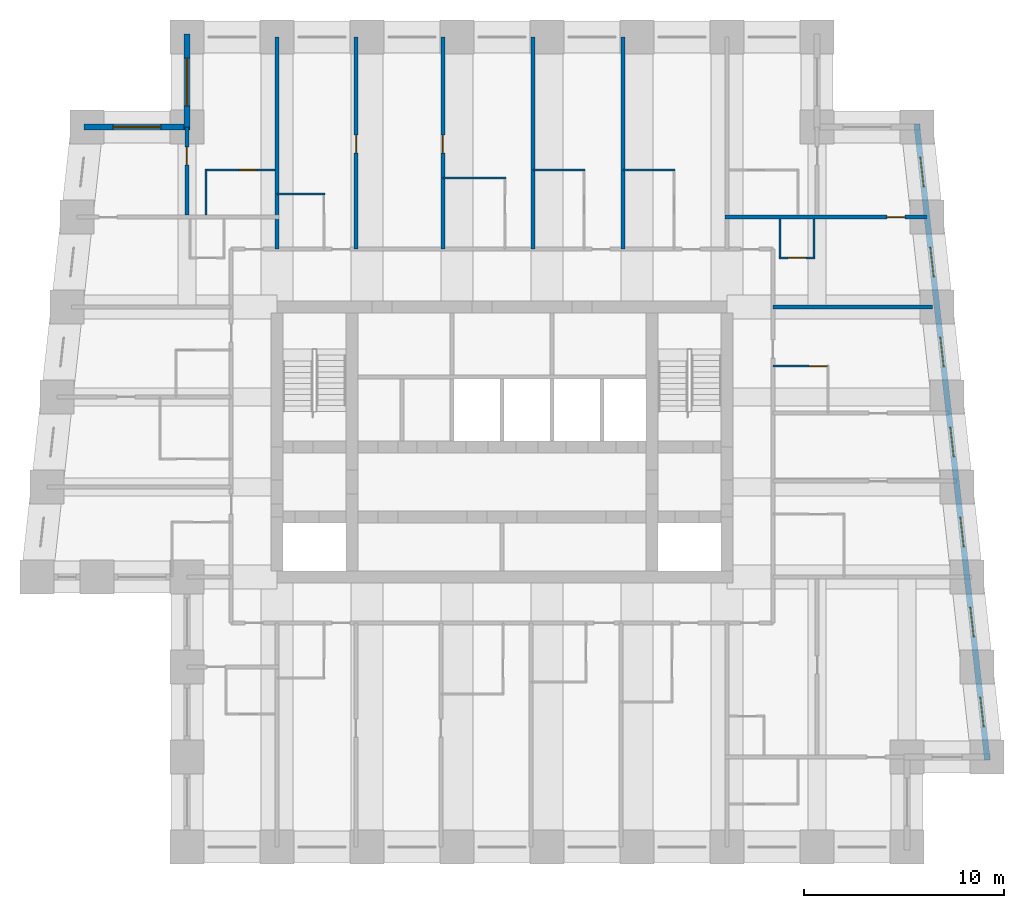
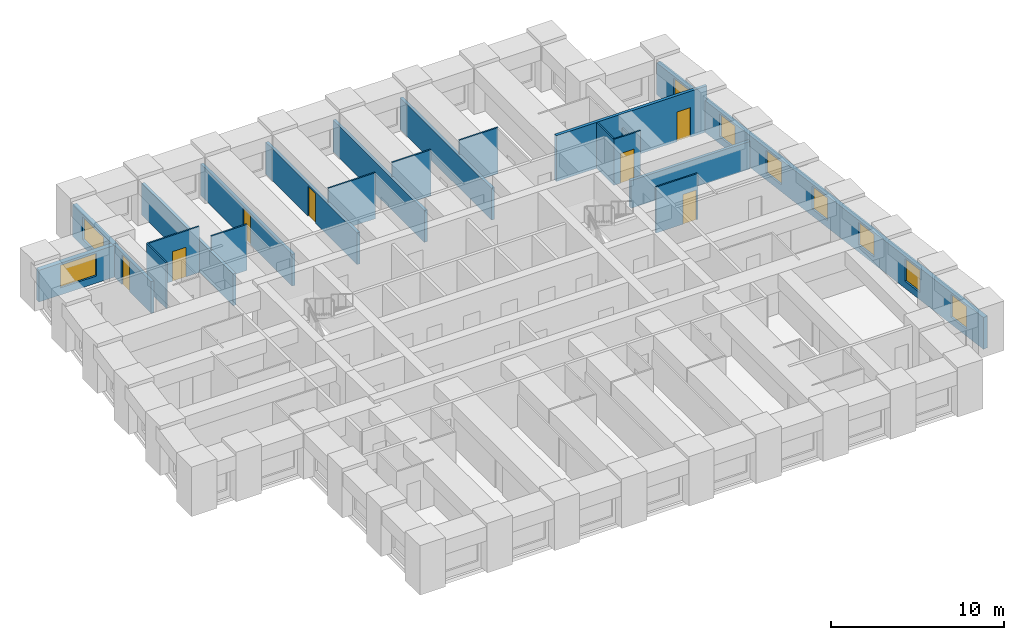
# One storey, part 6 of 8: 21 walls, 9 windows, 7 doors, 16 openings.
"""IFC4 building model written with IfcOpenShell, lengths in metres."""

from ifc_helpers import new_model, si_unit, direction, frame, frame_2d, origin, place, context, subcontext, project, spatial, rectangle, extrude, material, layer, layer_set, type_object, element, fill, save


model = new_model("IFC4")

# Units and contexts
model_context = context("Model", 3, precision=1e-05, world=origin(), true_north=direction((0.0, 1.0)))
body_context = subcontext(model_context, "Body", "Model", "MODEL_VIEW")
ifc_project = project(units=[si_unit("LENGTHUNIT", "METRE"), si_unit("AREAUNIT", "SQUARE_METRE"), si_unit("VOLUMEUNIT", "CUBIC_METRE"), si_unit("PLANEANGLEUNIT", "RADIAN"), si_unit("MASSUNIT", "GRAM", prefix="KILO")], contexts=[model_context])

# Site, building, storey
site_placement = place(None, origin())
site = spatial("IfcSite", under=ifc_project, at=site_placement, CompositionType="ELEMENT")
building_placement = place(site_placement, origin())
building = spatial("IfcBuilding", under=site, at=building_placement, Name="Kilele Tower Hotel", CompositionType="ELEMENT")
storey_placement = place(building_placement, frame((0.0, 0.0, 179.89990234375)))
storey = spatial("IfcBuildingStorey", under=building, at=storey_placement, Name="L46", CompositionType="ELEMENT", Elevation=179.89990234375)

# Wall, opening, door
ifc_material_1 = material(Name="Moisture-resistant board")
ifc_layer_1 = layer(ifc_material_1, 0.10009765625)
ifc_layer_set_1 = layer_set([ifc_layer_1], Name="Moisture-resistant board")
wall_type_1 = type_object("IfcWallType", Name="Bathroom partition 100", PredefinedType="PLUMBINGWALL", material=ifc_layer_set_1)
wall_1_placement = place(storey_placement, frame((38.300048828125, 24.050048828125, 0.0), z_axis=(0.0, 0.0, 1.0), x_axis=(1.0, 0.0, 0.0)))
wall_1 = element("IfcWall", 1, at=wall_1_placement, inside=storey, type_object=wall_type_1, Name="Bathroom partition 100 L46", PredefinedType="PLUMBINGWALL", context=body_context, shape_type="SweptSolid", body=[
    extrude(rectangle(XDim=2.800048828125, YDim=0.10009765625, at=frame_2d((1.39990234375, 0.0))), origin(), (0.0, 0.0, 1.0), 3.25),
])
opening_1_placement = place(wall_1_placement, frame((1.800048828125, 0.0, 0.0)))
opening_1 = element("IfcOpeningElement", 2, at=opening_1_placement, cuts=wall_1, Name="Opening D2A", PredefinedType="OPENING", context=body_context, shape_type="SweptSolid", body=[
    extrude(rectangle(XDim=0.89990234375, YDim=2.10009765625, at=frame_2d((0.449951171875, 1.050048828125))), frame((0.0, 0.06005859375, 0.0), z_axis=(0.0, -1.0, 0.0), x_axis=(1.0, 0.0, 0.0)), (0.0, 0.0, 1.0), 0.1201171875),
])
ifc_material_2 = material(Name="Timber door leaf in hardwood frame", Category="wood")
door_type_1 = type_object("IfcDoorType", Name="Bathroom door 900", OperationType="SINGLE_SWING_LEFT", PredefinedType="DOOR", material=ifc_material_2)
door_1_placement = place(opening_1_placement, origin())
door_1 = element("IfcDoor", 3, at=door_1_placement, inside=storey, type_object=door_type_1, Name="Bathroom door 4608B", OperationType="SINGLE_SWING_RIGHT", OverallHeight=2.10009765625, OverallWidth=0.89990234375, PredefinedType="DOOR", context=body_context, shape_type="SweptSolid", body=[
    extrude(rectangle(XDim=0.89990234375, YDim=2.10009765625, at=frame_2d((0.449951171875, 1.050048828125))), frame((0.0, 0.02490234375, 0.0), z_axis=(0.0, -1.0, 0.0), x_axis=(1.0, 0.0, 0.0)), (0.0, 0.0, 1.0), 0.050048828125),
])
fill(opening_1, door_1)

# Walls
wall_2_placement = place(storey_placement, frame((13.5, 32.64990234375, 0.0), z_axis=(0.0, 0.0, 1.0), x_axis=(1.0, 0.0, 0.0)))
element("IfcWall", 4, at=wall_2_placement, inside=storey, type_object=wall_type_1, Name="Bathroom partition 100 L46", PredefinedType="PLUMBINGWALL", context=body_context, shape_type="SweptSolid", body=[
    extrude(rectangle(XDim=2.39990234375, YDim=0.10009765625, at=frame_2d((1.199951171875, 0.0))), origin(), (0.0, 0.0, 1.0), 3.25),
])
wall_3_placement = place(storey_placement, frame((21.800048828125, 33.449951171875, 0.0), z_axis=(0.0, 0.0, 1.0), x_axis=(1.0, 0.0, 0.0)))
element("IfcWall", 5, at=wall_3_placement, inside=storey, type_object=wall_type_1, Name="Bathroom partition 100 L46", PredefinedType="PLUMBINGWALL", context=body_context, shape_type="SweptSolid", body=[
    extrude(rectangle(XDim=3.14990234375, YDim=0.10009765625, at=frame_2d((1.574951171875, 0.0))), origin(), (0.0, 0.0, 1.0), 3.25),
])
for number, where, z_axis, x_axis, name in (
    (6, (26.300048828125, 33.85009765625, 0.0), (0.0, 0.0, 1.0), (1.0, 0.0, 0.0), "Bathroom partition 100 L46"),
    (7, (30.800048828125, 33.85009765625, 0.0), (0.0, 0.0, 1.0), (1.0, 0.0, 0.0), "Bathroom partition 100 L46"),
):
    element("IfcWall", number, at=place(storey_placement, frame(where, z_axis=z_axis, x_axis=x_axis)), inside=storey, type_object=wall_type_1, Name=name, PredefinedType="PLUMBINGWALL", context=body_context, shape_type="SweptSolid", body=[
        extrude(rectangle(XDim=2.599853515625, YDim=0.10009765625, at=frame_2d((1.2998046875, 0.0))), origin(), (0.0, 0.0, 1.0), 3.25),
    ])
wall_4_placement = place(storey_placement, frame((40.35009765625, 31.39990234375, 0.0), z_axis=(0.0, 0.0, 1.0), x_axis=(0.0, -1.0, 0.0)))
element("IfcWall", 8, at=wall_4_placement, inside=storey, type_object=wall_type_1, Name="Bathroom partition 100 L46", PredefinedType="PLUMBINGWALL", context=body_context, shape_type="SweptSolid", body=[
    extrude(rectangle(XDim=2.0, YDim=0.10009765625, at=frame_2d((1.0, 0.0))), origin(), (0.0, 0.0, 1.0), 2.25),
])
wall_5_placement = place(storey_placement, frame((38.64990234375, 31.39990234375, 0.0), z_axis=(0.0, 0.0, 1.0), x_axis=(0.0, -1.0, 0.0)))
element("IfcWall", 9, at=wall_5_placement, inside=storey, type_object=wall_type_1, Name="Bathroom partition 100 L46", PredefinedType="PLUMBINGWALL", context=body_context, shape_type="SweptSolid", body=[
    extrude(rectangle(XDim=2.0, YDim=0.10009765625, at=frame_2d((1.0, 0.0))), origin(), (0.0, 0.0, 1.0), 3.25),
])

# Wall, opening, door
wall_6_placement = place(storey_placement, frame((38.60009765625, 29.449951171875, 0.0), z_axis=(0.0, 0.0, 1.0), x_axis=(1.0, 0.0, 0.0)))
wall_6 = element("IfcWall", 10, at=wall_6_placement, inside=storey, type_object=wall_type_1, Name="Bathroom partition 100 L46", PredefinedType="PLUMBINGWALL", context=body_context, shape_type="SweptSolid", body=[
    extrude(rectangle(XDim=1.7998046875, YDim=0.10009765625, at=frame_2d((0.89990234375, 0.0))), origin(), (0.0, 0.0, 1.0), 3.25),
])
opening_2_placement = place(wall_6_placement, frame((1.349853515625, 0.0, 0.0), z_axis=(0.0, 0.0, 1.0), x_axis=(-1.0, 0.0, 0.0)))
opening_2 = element("IfcOpeningElement", 11, at=opening_2_placement, cuts=wall_6, Name="Opening D2A", PredefinedType="OPENING", context=body_context, shape_type="SweptSolid", body=[
    extrude(rectangle(XDim=0.89990234375, YDim=2.10009765625, at=frame_2d((0.449951171875, 1.050048828125))), frame((0.0, 0.06005859375, 0.0), z_axis=(0.0, -1.0, 0.0), x_axis=(1.0, 0.0, 0.0)), (0.0, 0.0, 1.0), 0.1201171875),
])
door_2_placement = place(opening_2_placement, origin())
door_2 = element("IfcDoor", 12, at=door_2_placement, inside=storey, type_object=door_type_1, Name="Bathroom door 4622P", OperationType="SINGLE_SWING_RIGHT", OverallHeight=2.10009765625, OverallWidth=0.89990234375, PredefinedType="DOOR", context=body_context, shape_type="SweptSolid", body=[
    extrude(rectangle(XDim=0.89990234375, YDim=2.10009765625, at=frame_2d((0.449951171875, 1.050048828125))), frame((0.0, 0.02490234375, 0.0), z_axis=(0.0, -1.0, 0.0), x_axis=(1.0, 0.0, 0.0)), (0.0, 0.0, 1.0), 0.050048828125),
])
fill(opening_2, door_2)

# Wall
wall_7_placement = place(storey_placement, frame((9.949951171875, 31.60009765625, 0.0), z_axis=(0.0, 0.0, 1.0), x_axis=(0.0, 1.0, 0.0)))
element("IfcWall", 13, at=wall_7_placement, inside=storey, type_object=wall_type_1, Name="Bathroom partition 100 L46", PredefinedType="PLUMBINGWALL", context=body_context, shape_type="SweptSolid", body=[
    extrude(rectangle(XDim=2.2998046875, YDim=0.10009765625, at=frame_2d((1.14990234375, 0.0))), origin(), (0.0, 0.0, 1.0), 3.25),
])

# Wall, opening, door
wall_8_placement = place(storey_placement, frame((13.39990234375, 33.85009765625, 0.0), z_axis=(0.0, 0.0, 1.0), x_axis=(-1.0, 0.0, 0.0)))
wall_8 = element("IfcWall", 14, at=wall_8_placement, inside=storey, type_object=wall_type_1, Name="Bathroom partition 100 L46", PredefinedType="PLUMBINGWALL", context=body_context, shape_type="SweptSolid", body=[
    extrude(rectangle(XDim=3.5, YDim=0.10009765625, at=frame_2d((1.75, 0.0))), origin(), (0.0, 0.0, 1.0), 3.25),
])
opening_3_placement = place(wall_8_placement, frame((1.7998046875, 0.0, 0.0), z_axis=(0.0, 0.0, 1.0), x_axis=(-1.0, 0.0, 0.0)))
opening_3 = element("IfcOpeningElement", 15, at=opening_3_placement, cuts=wall_8, Name="Opening D2A", PredefinedType="OPENING", context=body_context, shape_type="SweptSolid", body=[
    extrude(rectangle(XDim=0.89990234375, YDim=2.10009765625, at=frame_2d((0.449951171875, 1.050048828125))), frame((0.0, 0.06005859375, 0.0), z_axis=(0.0, -1.0, 0.0), x_axis=(1.0, 0.0, 0.0)), (0.0, 0.0, 1.0), 0.1201171875),
])
door_3_placement = place(opening_3_placement, origin())
door_3 = element("IfcDoor", 16, at=door_3_placement, inside=storey, type_object=door_type_1, Name="Bathroom door 4626B", OperationType="SINGLE_SWING_RIGHT", OverallHeight=2.10009765625, OverallWidth=0.89990234375, PredefinedType="DOOR", context=body_context, shape_type="SweptSolid", body=[
    extrude(rectangle(XDim=0.89990234375, YDim=2.10009765625, at=frame_2d((0.449951171875, 1.050048828125))), frame((0.0, 0.02490234375, 0.0), z_axis=(0.0, -1.0, 0.0), x_axis=(1.0, 0.0, 0.0)), (0.0, 0.0, 1.0), 0.050048828125),
])
fill(opening_3, door_3)

ifc_material_3 = material(Name="Blockwork, plastered both sides", Category="masonry")
ifc_layer_2 = layer(ifc_material_3, 0.199951171875)
ifc_layer_set_2 = layer_set([ifc_layer_2], Name="Blockwork, plastered both sides")
wall_type_2 = type_object("IfcWallType", Name="Partition wall 200", PredefinedType="PARTITIONING", material=ifc_layer_set_2)
wall_9_placement = place(storey_placement, frame((9.0, 31.60009765625, 0.0), z_axis=(0.0, 0.0, 1.0), x_axis=(0.0, 1.0, 0.0)))
wall_9 = element("IfcWall", 17, at=wall_9_placement, inside=storey, type_object=wall_type_2, Name="Partition wall 200 L46", PredefinedType="PARTITIONING", context=body_context, shape_type="SweptSolid", body=[
    extrude(rectangle(XDim=4.39990234375, YDim=0.199951171875, at=frame_2d((2.199951171875, 0.0))), origin(), (0.0, 0.0, 1.0), 2.25),
])
opening_4_placement = place(wall_9_placement, frame((3.39990234375, 0.0, 0.0), z_axis=(0.0, 0.0, 1.0), x_axis=(-1.0, 0.0, 0.0)))
opening_4 = element("IfcOpeningElement", 18, at=opening_4_placement, cuts=wall_9, Name="Opening D3", PredefinedType="OPENING", context=body_context, shape_type="SweptSolid", body=[
    extrude(rectangle(XDim=0.89990234375, YDim=2.10009765625, at=frame_2d((0.449951171875, 1.050048828125))), frame((0.0, 0.10986328125, 0.0), z_axis=(0.0, -1.0, 0.0), x_axis=(1.0, 0.0, 0.0)), (0.0, 0.0, 1.0), 0.219970703125),
])
ifc_material_4 = material(Name="Timber door leaf in hardwood frame", Category="wood")
door_type_2 = type_object("IfcDoorType", Name="Suite internal door 900", OperationType="SINGLE_SWING_LEFT", PredefinedType="DOOR", material=ifc_material_4)
door_4_placement = place(opening_4_placement, origin())
door_4 = element("IfcDoor", 19, at=door_4_placement, inside=storey, type_object=door_type_2, Name="Suite door 4627", OperationType="SINGLE_SWING_RIGHT", OverallHeight=2.10009765625, OverallWidth=0.89990234375, PredefinedType="DOOR", context=body_context, shape_type="SweptSolid", body=[
    extrude(rectangle(XDim=0.89990234375, YDim=2.10009765625, at=frame_2d((0.449951171875, 1.050048828125))), frame((0.0, 0.02490234375, 0.0), z_axis=(0.0, -1.0, 0.0), x_axis=(1.0, 0.0, 0.0)), (0.0, 0.0, 1.0), 0.050048828125),
])
fill(opening_4, door_4)

ifc_material_5 = material(Name="Blockwork, plastered both sides", Category="masonry")
ifc_layer_3 = layer(ifc_material_5, 0.199951171875)
ifc_layer_set_3 = layer_set([ifc_layer_3], Name="Blockwork, plastered both sides")
wall_type_3 = type_object("IfcWallType", Name="Party wall 200", PredefinedType="PARTITIONING", material=ifc_layer_set_3)
wall_10_placement = place(storey_placement, frame((17.449951171875, 29.89990234375, 0.0), z_axis=(0.0, 0.0, 1.0), x_axis=(0.0, 1.0, 0.0)))
wall_10 = element("IfcWall", 20, at=wall_10_placement, inside=storey, type_object=wall_type_3, Name="Party wall 200 L46", PredefinedType="PARTITIONING", context=body_context, shape_type="SweptSolid", body=[
    extrude(rectangle(XDim=10.60009765625, YDim=0.199951171875, at=frame_2d((5.300048828125, 0.0))), origin(), (0.0, 0.0, 1.0), 2.25),
])
opening_5_placement = place(wall_10_placement, frame((4.800048828125, 0.0, 0.0)))
opening_5 = element("IfcOpeningElement", 21, at=opening_5_placement, cuts=wall_10, Name="Opening D3", PredefinedType="OPENING", context=body_context, shape_type="SweptSolid", body=[
    extrude(rectangle(XDim=0.89990234375, YDim=2.10009765625, at=frame_2d((0.449951171875, 1.050048828125))), frame((0.0, 0.10986328125, 0.0), z_axis=(0.0, -1.0, 0.0), x_axis=(1.0, 0.0, 0.0)), (0.0, 0.0, 1.0), 0.219970703125),
])
door_5_placement = place(opening_5_placement, origin())
door_5 = element("IfcDoor", 22, at=door_5_placement, inside=storey, type_object=door_type_2, Name="Suite door 4610", OperationType="SINGLE_SWING_LEFT", OverallHeight=2.10009765625, OverallWidth=0.89990234375, PredefinedType="DOOR", context=body_context, shape_type="SweptSolid", body=[
    extrude(rectangle(XDim=0.89990234375, YDim=2.10009765625, at=frame_2d((0.449951171875, 1.050048828125))), frame((0.0, 0.02490234375, 0.0), z_axis=(0.0, -1.0, 0.0), x_axis=(1.0, 0.0, 0.0)), (0.0, 0.0, 1.0), 0.050048828125),
])
fill(opening_5, door_5)

wall_11_placement = place(storey_placement, frame((21.800048828125, 29.89990234375, 0.0), z_axis=(0.0, 0.0, 1.0), x_axis=(0.0, 1.0, 0.0)))
wall_11 = element("IfcWall", 23, at=wall_11_placement, inside=storey, type_object=wall_type_3, Name="Party wall 200 L46", PredefinedType="PARTITIONING", context=body_context, shape_type="SweptSolid", body=[
    extrude(rectangle(XDim=10.60009765625, YDim=0.199951171875, at=frame_2d((5.300048828125, 0.0))), origin(), (0.0, 0.0, 1.0), 2.25),
])
opening_6_placement = place(wall_11_placement, frame((5.699951171875, 0.0, 0.0), z_axis=(0.0, 0.0, 1.0), x_axis=(-1.0, 0.0, 0.0)))
opening_6 = element("IfcOpeningElement", 24, at=opening_6_placement, cuts=wall_11, Name="Opening D3", PredefinedType="OPENING", context=body_context, shape_type="SweptSolid", body=[
    extrude(rectangle(XDim=0.89990234375, YDim=2.10009765625, at=frame_2d((0.449951171875, 1.050048828125))), frame((0.0, 0.10986328125, 0.0), z_axis=(0.0, -1.0, 0.0), x_axis=(1.0, 0.0, 0.0)), (0.0, 0.0, 1.0), 0.219970703125),
])
door_6_placement = place(opening_6_placement, origin())
door_6 = element("IfcDoor", 25, at=door_6_placement, inside=storey, type_object=door_type_2, Name="Suite door 4611", OperationType="SINGLE_SWING_RIGHT", OverallHeight=2.10009765625, OverallWidth=0.89990234375, PredefinedType="DOOR", context=body_context, shape_type="SweptSolid", body=[
    extrude(rectangle(XDim=0.89990234375, YDim=2.10009765625, at=frame_2d((0.449951171875, 1.050048828125))), frame((0.0, 0.02490234375, 0.0), z_axis=(0.0, -1.0, 0.0), x_axis=(1.0, 0.0, 0.0)), (0.0, 0.0, 1.0), 0.050048828125),
])
fill(opening_6, door_6)

# Walls
for number, where, z_axis, x_axis, name in (
    (26, (26.300048828125, 29.89990234375, 0.0), (0.0, 0.0, 1.0), (0.0, 1.0, 0.0), "Party wall 200 L46"),
    (27, (30.800048828125, 29.89990234375, 0.0), (0.0, 0.0, 1.0), (0.0, 1.0, 0.0), "Party wall 200 L46"),
):
    element("IfcWall", number, at=place(storey_placement, frame(where, z_axis=z_axis, x_axis=x_axis)), inside=storey, type_object=wall_type_3, Name=name, PredefinedType="PARTITIONING", context=body_context, shape_type="SweptSolid", body=[
        extrude(rectangle(XDim=10.60009765625, YDim=0.199951171875, at=frame_2d((5.300048828125, 0.0))), origin(), (0.0, 0.0, 1.0), 2.25),
    ])
wall_12_placement = place(storey_placement, frame((38.300048828125, 27.0, 0.0), z_axis=(0.0, 0.0, 1.0), x_axis=(1.0, 0.0, 0.0)))
element("IfcWall", 28, at=wall_12_placement, inside=storey, type_object=wall_type_3, Name="Party wall 200 L46", PredefinedType="PARTITIONING", context=body_context, shape_type="SweptSolid", body=[
    extrude(rectangle(XDim=7.976806640625, YDim=0.199951171875, at=frame_2d((3.98828125, 0.0))), origin(), (0.0, 0.0, 1.0), 1.9501953125),
])

# Wall, opening, door
wall_13_placement = place(storey_placement, frame((35.89990234375, 31.5, 0.0), z_axis=(0.0, 0.0, 1.0), x_axis=(1.0, 0.0, 0.0)))
wall_13 = element("IfcWall", 29, at=wall_13_placement, inside=storey, type_object=wall_type_3, Name="Party wall 200 L46", PredefinedType="PARTITIONING", context=body_context, shape_type="SweptSolid", body=[
    extrude(rectangle(XDim=10.09912109375, YDim=0.199951171875, at=frame_2d((5.049560546875, 0.0))), origin(), (0.0, 0.0, 1.0), 3.25),
])
opening_7_placement = place(wall_13_placement, frame((8.09912109375, 0.0, 0.0)))
opening_7 = element("IfcOpeningElement", 30, at=opening_7_placement, cuts=wall_13, Name="Opening D3", PredefinedType="OPENING", context=body_context, shape_type="SweptSolid", body=[
    extrude(rectangle(XDim=0.89990234375, YDim=2.10009765625, at=frame_2d((0.449951171875, 1.050048828125))), frame((0.0, 0.10986328125, 0.0), z_axis=(0.0, -1.0, 0.0), x_axis=(1.0, 0.0, 0.0)), (0.0, 0.0, 1.0), 0.219970703125),
])
door_7_placement = place(opening_7_placement, origin())
door_7 = element("IfcDoor", 31, at=door_7_placement, inside=storey, type_object=door_type_2, Name="Suite door 4623", OperationType="SINGLE_SWING_RIGHT", OverallHeight=2.10009765625, OverallWidth=0.89990234375, PredefinedType="DOOR", context=body_context, shape_type="SweptSolid", body=[
    extrude(rectangle(XDim=0.89990234375, YDim=2.10009765625, at=frame_2d((0.449951171875, 1.050048828125))), frame((0.0, 0.02490234375, 0.0), z_axis=(0.0, -1.0, 0.0), x_axis=(1.0, 0.0, 0.0)), (0.0, 0.0, 1.0), 0.050048828125),
])
fill(opening_7, door_7)

# Wall
wall_14_placement = place(storey_placement, frame((13.5, 29.89990234375, 0.0), z_axis=(0.0, 0.0, 1.0), x_axis=(0.0, 1.0, 0.0)))
element("IfcWall", 32, at=wall_14_placement, inside=storey, type_object=wall_type_3, Name="Party wall 200 L46", PredefinedType="PARTITIONING", context=body_context, shape_type="SweptSolid", body=[
    extrude(rectangle(XDim=10.60009765625, YDim=0.199951171875, at=frame_2d((5.300048828125, 0.0))), origin(), (0.0, 0.0, 1.0), 2.25),
])

# Wall, openings, windows
ifc_material_6 = material(Name="Concrete C40/50 precast", Category="concrete")
ifc_layer_4 = layer(ifc_material_6, 0.260009765625, Name="Precast backing", Category="LoadBearing")
ifc_material_7 = material(Name="Reconstituted stone finish", Category="masonry")
ifc_layer_5 = layer(ifc_material_7, 0.0400390625, Name="Face mix", Category="Finish")
ifc_layer_set_4 = layer_set([ifc_layer_4, ifc_layer_5], Name="Precast concrete C40/50, reconstituted stone finish")
wall_type_4 = type_object("IfcWallType", Name="Precast stone facade wall 300", PredefinedType="STANDARD", material=ifc_layer_set_4)
wall_15_placement = place(storey_placement, frame((49.0166015625, 4.350830078125, 0.0), z_axis=(0.0, 0.0, 1.0), x_axis=(-0.110433201132, 0.993883548555, 0.0)))
wall_15 = element("IfcWall", 33, at=wall_15_placement, inside=storey, type_object=wall_type_4, Name="Facade wall L46 edge 6", PredefinedType="STANDARD", context=body_context, shape_type="SweptSolid", body=[
    extrude(rectangle(XDim=31.994140625, YDim=0.300048828125, at=frame_2d((15.9970703125, 0.0))), origin(), (0.0, 0.0, 1.0), 2.25),
])
opening_8_placement = place(wall_15_placement, frame((1.6640625, 0.0, 0.5)))
opening_8 = element("IfcOpeningElement", 34, at=opening_8_placement, cuts=wall_15, Name="Opening W3", PredefinedType="OPENING", context=body_context, shape_type="SweptSolid", body=[
    extrude(rectangle(XDim=1.5, YDim=1.60009765625, at=frame_2d((0.75, 0.800048828125))), frame((0.0, 0.159912109375, 0.0), z_axis=(0.0, -1.0, 0.0), x_axis=(1.0, 0.0, 0.0)), (0.0, 0.0, 1.0), 0.320068359375),
])
opening_9_placement = place(wall_15_placement, frame((6.19189453125, 0.0, 0.5)))
opening_9 = element("IfcOpeningElement", 35, at=opening_9_placement, cuts=wall_15, Name="Opening W3", PredefinedType="OPENING", context=body_context, shape_type="SweptSolid", body=[
    extrude(rectangle(XDim=1.5, YDim=1.60009765625, at=frame_2d((0.75, 0.800048828125))), frame((0.0, 0.159912109375, 0.0), z_axis=(0.0, -1.0, 0.0), x_axis=(1.0, 0.0, 0.0)), (0.0, 0.0, 1.0), 0.320068359375),
])
opening_10_placement = place(wall_15_placement, frame((10.718994140625, 0.0, 0.5)))
opening_10 = element("IfcOpeningElement", 36, at=opening_10_placement, cuts=wall_15, Name="Opening W3", PredefinedType="OPENING", context=body_context, shape_type="SweptSolid", body=[
    extrude(rectangle(XDim=1.5, YDim=1.60009765625, at=frame_2d((0.75, 0.800048828125))), frame((0.0, 0.159912109375, 0.0), z_axis=(0.0, -1.0, 0.0), x_axis=(1.0, 0.0, 0.0)), (0.0, 0.0, 1.0), 0.320068359375),
])
opening_11_placement = place(wall_15_placement, frame((15.2470703125, 0.0, 0.5)))
opening_11 = element("IfcOpeningElement", 37, at=opening_11_placement, cuts=wall_15, Name="Opening W3", PredefinedType="OPENING", context=body_context, shape_type="SweptSolid", body=[
    extrude(rectangle(XDim=1.5, YDim=1.60009765625, at=frame_2d((0.75, 0.800048828125))), frame((0.0, 0.159912109375, 0.0), z_axis=(0.0, -1.0, 0.0), x_axis=(1.0, 0.0, 0.0)), (0.0, 0.0, 1.0), 0.320068359375),
])
opening_12_placement = place(wall_15_placement, frame((19.77490234375, 0.0, 0.5)))
opening_12 = element("IfcOpeningElement", 38, at=opening_12_placement, cuts=wall_15, Name="Opening W3", PredefinedType="OPENING", context=body_context, shape_type="SweptSolid", body=[
    extrude(rectangle(XDim=1.5, YDim=1.60009765625, at=frame_2d((0.75, 0.800048828125))), frame((0.0, 0.159912109375, 0.0), z_axis=(0.0, -1.0, 0.0), x_axis=(1.0, 0.0, 0.0)), (0.0, 0.0, 1.0), 0.320068359375),
])
opening_13_placement = place(wall_15_placement, frame((24.302001953125, 0.0, 0.5)))
opening_13 = element("IfcOpeningElement", 39, at=opening_13_placement, cuts=wall_15, Name="Opening W3", PredefinedType="OPENING", context=body_context, shape_type="SweptSolid", body=[
    extrude(rectangle(XDim=1.5, YDim=1.60009765625, at=frame_2d((0.75, 0.800048828125))), frame((0.0, 0.159912109375, 0.0), z_axis=(0.0, -1.0, 0.0), x_axis=(1.0, 0.0, 0.0)), (0.0, 0.0, 1.0), 0.320068359375),
])
opening_14_placement = place(wall_15_placement, frame((28.830078125, 0.0, 0.5)))
opening_14 = element("IfcOpeningElement", 40, at=opening_14_placement, cuts=wall_15, Name="Opening W3", PredefinedType="OPENING", context=body_context, shape_type="SweptSolid", body=[
    extrude(rectangle(XDim=1.5, YDim=1.60009765625, at=frame_2d((0.75, 0.800048828125))), frame((0.0, 0.159912109375, 0.0), z_axis=(0.0, -1.0, 0.0), x_axis=(1.0, 0.0, 0.0)), (0.0, 0.0, 1.0), 0.320068359375),
])
ifc_material_8 = material(Name="Aluminium frame, clear double glazing", Category="aluminium")
window_type_1 = type_object("IfcWindowType", Name="Window W3 1500 x 1600", PartitioningType="SINGLE_PANEL", PredefinedType="WINDOW", material=ifc_material_8)
window_1_placement = place(opening_8_placement, origin())
window_1 = element("IfcWindow", 41, at=window_1_placement, inside=storey, type_object=window_type_1, Name="Window L46", OverallHeight=1.60009765625, OverallWidth=1.5, PartitioningType="SINGLE_PANEL", PredefinedType="WINDOW", context=body_context, shape_type="SweptSolid", body=[
    extrude(rectangle(XDim=1.5, YDim=1.60009765625, at=frame_2d((0.75, 0.800048828125))), frame((0.0, 0.030029296875, 0.0), z_axis=(0.0, -1.0, 0.0), x_axis=(1.0, 0.0, 0.0)), (0.0, 0.0, 1.0), 0.06005859375),
])
fill(opening_8, window_1)
window_2_placement = place(opening_9_placement, origin())
window_2 = element("IfcWindow", 42, at=window_2_placement, inside=storey, type_object=window_type_1, Name="Window L46", OverallHeight=1.60009765625, OverallWidth=1.5, PartitioningType="SINGLE_PANEL", PredefinedType="WINDOW", context=body_context, shape_type="SweptSolid", body=[
    extrude(rectangle(XDim=1.5, YDim=1.60009765625, at=frame_2d((0.75, 0.800048828125))), frame((0.0, 0.030029296875, 0.0), z_axis=(0.0, -1.0, 0.0), x_axis=(1.0, 0.0, 0.0)), (0.0, 0.0, 1.0), 0.06005859375),
])
fill(opening_9, window_2)
window_3_placement = place(opening_10_placement, origin())
window_3 = element("IfcWindow", 43, at=window_3_placement, inside=storey, type_object=window_type_1, Name="Window L46", OverallHeight=1.60009765625, OverallWidth=1.5, PartitioningType="SINGLE_PANEL", PredefinedType="WINDOW", context=body_context, shape_type="SweptSolid", body=[
    extrude(rectangle(XDim=1.5, YDim=1.60009765625, at=frame_2d((0.75, 0.800048828125))), frame((0.0, 0.030029296875, 0.0), z_axis=(0.0, -1.0, 0.0), x_axis=(1.0, 0.0, 0.0)), (0.0, 0.0, 1.0), 0.06005859375),
])
fill(opening_10, window_3)
window_4_placement = place(opening_11_placement, origin())
window_4 = element("IfcWindow", 44, at=window_4_placement, inside=storey, type_object=window_type_1, Name="Window L46", OverallHeight=1.60009765625, OverallWidth=1.5, PartitioningType="SINGLE_PANEL", PredefinedType="WINDOW", context=body_context, shape_type="SweptSolid", body=[
    extrude(rectangle(XDim=1.5, YDim=1.60009765625, at=frame_2d((0.75, 0.800048828125))), frame((0.0, 0.030029296875, 0.0), z_axis=(0.0, -1.0, 0.0), x_axis=(1.0, 0.0, 0.0)), (0.0, 0.0, 1.0), 0.06005859375),
])
fill(opening_11, window_4)
window_5_placement = place(opening_12_placement, origin())
window_5 = element("IfcWindow", 45, at=window_5_placement, inside=storey, type_object=window_type_1, Name="Window L46", OverallHeight=1.60009765625, OverallWidth=1.5, PartitioningType="SINGLE_PANEL", PredefinedType="WINDOW", context=body_context, shape_type="SweptSolid", body=[
    extrude(rectangle(XDim=1.5, YDim=1.60009765625, at=frame_2d((0.75, 0.800048828125))), frame((0.0, 0.030029296875, 0.0), z_axis=(0.0, -1.0, 0.0), x_axis=(1.0, 0.0, 0.0)), (0.0, 0.0, 1.0), 0.06005859375),
])
fill(opening_12, window_5)
window_6_placement = place(opening_13_placement, origin())
window_6 = element("IfcWindow", 46, at=window_6_placement, inside=storey, type_object=window_type_1, Name="Window L46", OverallHeight=1.60009765625, OverallWidth=1.5, PartitioningType="SINGLE_PANEL", PredefinedType="WINDOW", context=body_context, shape_type="SweptSolid", body=[
    extrude(rectangle(XDim=1.5, YDim=1.60009765625, at=frame_2d((0.75, 0.800048828125))), frame((0.0, 0.030029296875, 0.0), z_axis=(0.0, -1.0, 0.0), x_axis=(1.0, 0.0, 0.0)), (0.0, 0.0, 1.0), 0.06005859375),
])
fill(opening_13, window_6)
window_7_placement = place(opening_14_placement, origin())
window_7 = element("IfcWindow", 47, at=window_7_placement, inside=storey, type_object=window_type_1, Name="Window L46", OverallHeight=1.60009765625, OverallWidth=1.5, PartitioningType="SINGLE_PANEL", PredefinedType="WINDOW", context=body_context, shape_type="SweptSolid", body=[
    extrude(rectangle(XDim=1.5, YDim=1.60009765625, at=frame_2d((0.75, 0.800048828125))), frame((0.0, 0.030029296875, 0.0), z_axis=(0.0, -1.0, 0.0), x_axis=(1.0, 0.0, 0.0)), (0.0, 0.0, 1.0), 0.06005859375),
])
fill(opening_14, window_7)

# Wall, opening, window
wall_16_placement = place(storey_placement, frame((9.0, 40.64990234375, 0.0), z_axis=(0.0, 0.0, 1.0), x_axis=(0.0, -1.0, 0.0)))
wall_16 = element("IfcWall", 48, at=wall_16_placement, inside=storey, type_object=wall_type_4, Name="Facade wall L46 edge 10", PredefinedType="STANDARD", context=body_context, shape_type="SweptSolid", body=[
    extrude(rectangle(XDim=4.7998046875, YDim=0.300048828125, at=frame_2d((2.39990234375, 0.0))), origin(), (0.0, 0.0, 1.0), 2.25),
])
opening_15_placement = place(wall_16_placement, frame((1.199951171875, 0.0, 0.5)))
opening_15 = element("IfcOpeningElement", 49, at=opening_15_placement, cuts=wall_16, Name="Opening W3", PredefinedType="OPENING", context=body_context, shape_type="SweptSolid", body=[
    extrude(rectangle(XDim=2.39990234375, YDim=1.60009765625, at=frame_2d((1.199951171875, 0.800048828125))), frame((0.0, 0.159912109375, 0.0), z_axis=(0.0, -1.0, 0.0), x_axis=(1.0, 0.0, 0.0)), (0.0, 0.0, 1.0), 0.320068359375),
])
ifc_material_9 = material(Name="Aluminium frame, clear double glazing", Category="aluminium")
window_type_2 = type_object("IfcWindowType", Name="Window W3 2400 x 1600", PartitioningType="SINGLE_PANEL", PredefinedType="WINDOW", material=ifc_material_9)
window_8_placement = place(opening_15_placement, origin())
window_8 = element("IfcWindow", 50, at=window_8_placement, inside=storey, type_object=window_type_2, Name="Window L46", OverallHeight=1.60009765625, OverallWidth=2.39990234375, PartitioningType="SINGLE_PANEL", PredefinedType="WINDOW", context=body_context, shape_type="SweptSolid", body=[
    extrude(rectangle(XDim=2.39990234375, YDim=1.60009765625, at=frame_2d((1.199951171875, 0.800048828125))), frame((0.0, 0.030029296875, 0.0), z_axis=(0.0, -1.0, 0.0), x_axis=(1.0, 0.0, 0.0)), (0.0, 0.0, 1.0), 0.06005859375),
])
fill(opening_15, window_8)

wall_17_placement = place(storey_placement, frame((9.14990234375, 36.0, 0.0), z_axis=(0.0, 0.0, 1.0), x_axis=(-1.0, 0.0, 0.0)))
wall_17 = element("IfcWall", 51, at=wall_17_placement, inside=storey, type_object=wall_type_4, Name="Facade wall L46 edge 11", PredefinedType="STANDARD", context=body_context, shape_type="SweptSolid", body=[
    extrude(rectangle(XDim=5.2998046875, YDim=0.300048828125, at=frame_2d((2.64990234375, 0.0))), origin(), (0.0, 0.0, 1.0), 2.25),
])
opening_16_placement = place(wall_17_placement, frame((1.449951171875, 0.0, 0.5)))
opening_16 = element("IfcOpeningElement", 52, at=opening_16_placement, cuts=wall_17, Name="Opening W3", PredefinedType="OPENING", context=body_context, shape_type="SweptSolid", body=[
    extrude(rectangle(XDim=2.39990234375, YDim=1.60009765625, at=frame_2d((1.199951171875, 0.800048828125))), frame((0.0, 0.159912109375, 0.0), z_axis=(0.0, -1.0, 0.0), x_axis=(1.0, 0.0, 0.0)), (0.0, 0.0, 1.0), 0.320068359375),
])
window_9_placement = place(opening_16_placement, origin())
window_9 = element("IfcWindow", 53, at=window_9_placement, inside=storey, type_object=window_type_2, Name="Window L46", OverallHeight=1.60009765625, OverallWidth=2.39990234375, PartitioningType="SINGLE_PANEL", PredefinedType="WINDOW", context=body_context, shape_type="SweptSolid", body=[
    extrude(rectangle(XDim=2.39990234375, YDim=1.60009765625, at=frame_2d((1.199951171875, 0.800048828125))), frame((0.0, 0.030029296875, 0.0), z_axis=(0.0, -1.0, 0.0), x_axis=(1.0, 0.0, 0.0)), (0.0, 0.0, 1.0), 0.06005859375),
])
fill(opening_16, window_9)

save(model, "model.ifc")
